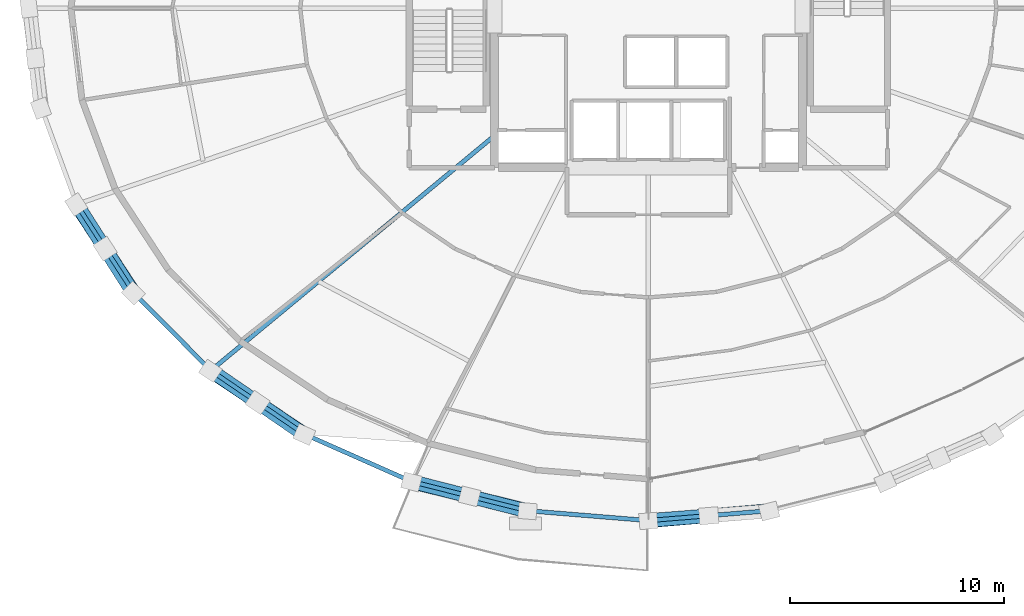
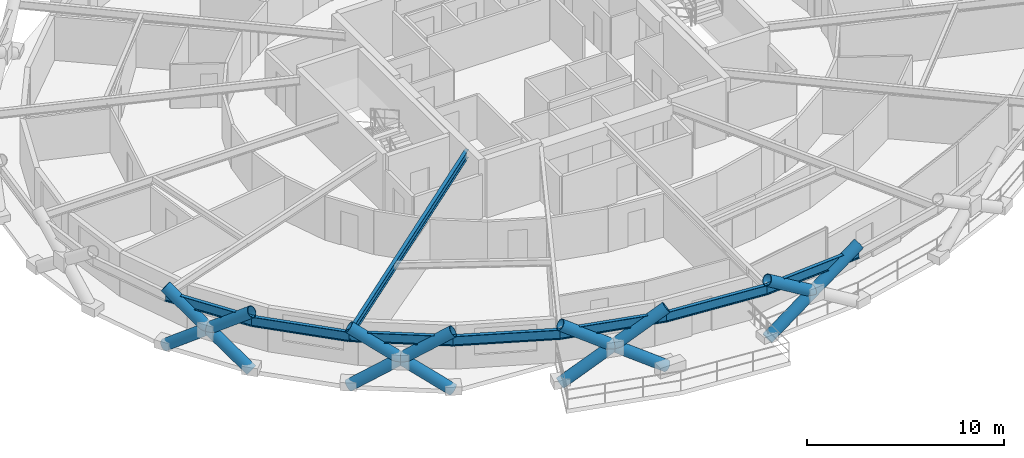
# One storey, part 1 of 14: 11 members, 8 beams.
"""IFC4 building model written with IfcOpenShell, lengths in metres."""

from ifc_helpers import new_model, si_unit, direction, frame, origin, origin_2d, place, context, subcontext, project, spatial, hollow_circle, i_section, extrude, material, material_profile, profile_set, type_object, element, save


model = new_model("IFC4")

# Units and contexts
model_context = context("Model", 3, precision=1e-05, world=origin(), true_north=direction((0.0, 1.0)))
body_context = subcontext(model_context, "Body", "Model", "MODEL_VIEW")
ifc_project = project(units=[si_unit("LENGTHUNIT", "METRE"), si_unit("AREAUNIT", "SQUARE_METRE"), si_unit("VOLUMEUNIT", "CUBIC_METRE"), si_unit("PLANEANGLEUNIT", "RADIAN"), si_unit("MASSUNIT", "GRAM", prefix="KILO")], contexts=[model_context])

# Site, building, storey
site_placement = place(None, origin())
site = spatial("IfcSite", under=ifc_project, at=site_placement, CompositionType="ELEMENT")
building_placement = place(site_placement, origin())
building = spatial("IfcBuilding", under=site, at=building_placement, Name="Veldorina Hangang Commons", CompositionType="ELEMENT")
storey_placement = place(building_placement, frame((0.0, 0.0, 88.0)))
storey = spatial("IfcBuildingStorey", under=building, at=storey_placement, Name="L22", CompositionType="ELEMENT", Elevation=88.0)

# Beams
ifc_material_1 = material(Name="Steel SM420-TMC", Category="steel")
ifc_material_profile_1 = material_profile(ifc_material_1, i_section(OverallWidth=0.199951171875, OverallDepth=0.5, WebThickness=0.010009765625, FlangeThickness=0.01611328125, FilletRadius=0.01611328125, at=origin_2d()), Name="H-500x200x10x16")
ifc_profile_set_1 = profile_set([ifc_material_profile_1], Name="Steel SM420-TMC")
beam_type_1 = type_object("IfcBeamType", Name="BM-FG500", PredefinedType="BEAM", material=ifc_profile_set_1)
beam_1_placement = place(storey_placement, frame((24.800048828125, 18.0390625, 3.090087890625), z_axis=(-0.770268862068, -0.637719280035, 0.0), x_axis=(0.637719280035, -0.770268862068, 0.0)))
element("IfcBeam", 1, at=beam_1_placement, inside=storey, type_object=beam_type_1, Name="L22 radial floor girder 11", PredefinedType="BEAM", context=body_context, shape_type="SweptSolid", body=[
    extrude(i_section(OverallWidth=0.199951171875, OverallDepth=0.5, WebThickness=0.010009765625, FlangeThickness=0.01611328125, FilletRadius=0.01611328125, at=origin_2d()), origin(), (0.0, 0.0, 1.0), 17.206787109375),
])
ifc_material_profile_2 = material_profile(ifc_material_1, i_section(OverallWidth=0.199951171875, OverallDepth=0.60009765625, WebThickness=0.010986328125, FlangeThickness=0.01708984375, FilletRadius=0.01806640625, at=origin_2d()), Name="H-600x200x11x17")
ifc_profile_set_2 = profile_set([ifc_material_profile_2], Name="Steel SM420-TMC")
beam_type_2 = type_object("IfcBeamType", Name="BM-RB600", PredefinedType="BEAM", material=ifc_profile_set_2)
beam_2_placement = place(storey_placement, frame((5.275634765625, 14.835205078125, 3.0400390625), z_axis=(0.542419093308, -0.840108044965, 0.0), x_axis=(0.840108044965, 0.542419093308, 0.0)))
element("IfcBeam", 2, at=beam_2_placement, inside=storey, type_object=beam_type_2, Name="L22 perimeter hoop ring beam 18", PredefinedType="BEAM", context=body_context, shape_type="SweptSolid", body=[
    extrude(i_section(OverallWidth=0.199951171875, OverallDepth=0.60009765625, WebThickness=0.010986328125, FlangeThickness=0.01708984375, FilletRadius=0.01806640625, at=origin_2d()), origin(), (0.0, 0.0, 1.0), 4.927978515625),
])
beam_3_placement = place(storey_placement, frame((7.94873046875, 10.695068359375, 3.0400390625), z_axis=(0.703994455106, -0.710205468283, 0.0), x_axis=(0.710205468283, 0.703994455106, 0.0)))
element("IfcBeam", 3, at=beam_3_placement, inside=storey, type_object=beam_type_2, Name="L22 perimeter hoop ring beam 19", PredefinedType="BEAM", context=body_context, shape_type="SweptSolid", body=[
    extrude(i_section(OverallWidth=0.199951171875, OverallDepth=0.60009765625, WebThickness=0.010986328125, FlangeThickness=0.01708984375, FilletRadius=0.01806640625, at=origin_2d()), origin(), (0.0, 0.0, 1.0), 5.110107421875),
])
beam_4_placement = place(storey_placement, frame((11.546142578125, 7.06591796875, 3.0400390625), z_axis=(0.827134666124, -0.562003775874, 0.0), x_axis=(0.562003775874, 0.827134666124, 0.0)))
element("IfcBeam", 4, at=beam_4_placement, inside=storey, type_object=beam_type_2, Name="L22 perimeter hoop ring beam 20", PredefinedType="BEAM", context=body_context, shape_type="SweptSolid", body=[
    extrude(i_section(OverallWidth=0.199951171875, OverallDepth=0.60009765625, WebThickness=0.010986328125, FlangeThickness=0.01708984375, FilletRadius=0.01806640625, at=origin_2d()), origin(), (0.0, 0.0, 1.0), 5.29931640625),
])
beam_5_placement = place(storey_placement, frame((15.929443359375, 4.087646484375, 3.0400390625), z_axis=(0.914473077645, -0.404646747499, 0.0), x_axis=(0.404646747499, 0.914473077645, 0.0)))
element("IfcBeam", 5, at=beam_5_placement, inside=storey, type_object=beam_type_2, Name="L22 perimeter hoop ring beam 21", PredefinedType="BEAM", context=body_context, shape_type="SweptSolid", body=[
    extrude(i_section(OverallWidth=0.199951171875, OverallDepth=0.60009765625, WebThickness=0.010986328125, FlangeThickness=0.01708984375, FilletRadius=0.01806640625, at=origin_2d()), origin(), (0.0, 0.0, 1.0), 5.46875),
])
beam_6_placement = place(storey_placement, frame((20.930419921875, 1.874755859375, 3.0400390625), z_axis=(0.969880111736, -0.243582776195, 0.0), x_axis=(0.243582776195, 0.969880111736, 0.0)))
element("IfcBeam", 6, at=beam_6_placement, inside=storey, type_object=beam_type_2, Name="L22 perimeter hoop ring beam 22", PredefinedType="BEAM", context=body_context, shape_type="SweptSolid", body=[
    extrude(i_section(OverallWidth=0.199951171875, OverallDepth=0.60009765625, WebThickness=0.010986328125, FlangeThickness=0.01708984375, FilletRadius=0.01806640625, at=origin_2d()), origin(), (0.0, 0.0, 1.0), 5.5947265625),
])
for number, where, z_axis, x_axis, name in (
    (7, (26.356689453125, 0.511962890625, 3.0400390625), (0.99669139149, -0.081278964869, 0.0), (0.081278964869, 0.99669139149, 0.0), "L22 perimeter hoop ring beam 23"),
    (8, (32.0, 0.0517578125, 3.0400390625), (0.99669139149, 0.081278964869, 0.0), (-0.081278964869, 0.99669139149, 0.0), "L22 perimeter hoop ring beam 24"),
):
    element("IfcBeam", number, at=place(storey_placement, frame(where, z_axis=z_axis, x_axis=x_axis)), inside=storey, type_object=beam_type_2, Name=name, PredefinedType="BEAM", context=body_context, shape_type="SweptSolid", body=[
        extrude(i_section(OverallWidth=0.199951171875, OverallDepth=0.60009765625, WebThickness=0.010986328125, FlangeThickness=0.01708984375, FilletRadius=0.01806640625, at=origin_2d()), origin(), (0.0, 0.0, 1.0), 5.662109375),
    ])

# Members
ifc_material_2 = material(Name="Steel SM460-TMC", Category="steel")
ifc_material_profile_3 = material_profile(ifc_material_2, hollow_circle(Radius=0.324951171875, WallThickness=0.031982421875, at=origin_2d()), Name="CHS-650x32")
ifc_profile_set_3 = profile_set([ifc_material_profile_3], Name="Steel SM460-TMC")
member_type = type_object("IfcMemberType", Name="DG-CHS650", PredefinedType="BRACE", material=ifc_profile_set_3)
member_1_placement = place(storey_placement, frame((5.252197265625, 14.82861328125, 0.0), z_axis=(0.442023574438, -0.676282881314, 0.589284841213), x_axis=(0.837061095875, 0.547109423948, 0.0)))
element("IfcMember", 9, at=member_1_placement, inside=storey, type_object=member_type, Name="L22 continuous perimeter diagrid brace 18", PredefinedType="BRACE", context=body_context, shape_type="SweptSolid", body=[
    extrude(hollow_circle(Radius=0.324951171875, WallThickness=0.031982421875, at=origin_2d()), origin(), (0.0, 0.0, 1.0), 6.109375),
])
member_2_placement = place(storey_placement, frame((7.927490234375, 10.68505859375, 0.0), z_axis=(-0.434086079817, 0.680614966807, 0.590197036817), x_axis=(-0.84311822647, -0.537728236374, 0.0)))
element("IfcMember", 10, at=member_2_placement, inside=storey, type_object=member_type, Name="L22 split perimeter diagrid lower brace 19", PredefinedType="BRACE", context=body_context, shape_type="SweptSolid", body=[
    extrude(hollow_circle(Radius=0.324951171875, WallThickness=0.031982421875, at=origin_2d()), origin(), (0.0, 0.0, 1.0), 3.05126953125),
])
member_3_placement = place(storey_placement, frame((6.60302734375, 12.76171875, 1.80078125), z_axis=(-0.433984839088, 0.680649039935, 0.590232194884), x_axis=(-0.843187284607, -0.537619942968, 0.0)))
element("IfcMember", 11, at=member_3_placement, inside=storey, type_object=member_type, Name="L22 split perimeter diagrid upper brace 19", PredefinedType="BRACE", context=body_context, shape_type="SweptSolid", body=[
    extrude(hollow_circle(Radius=0.324951171875, WallThickness=0.031982421875, at=origin_2d()), origin(), (0.0, 0.0, 1.0), 3.048583984375),
])
member_4_placement = place(storey_placement, frame((11.528076171875, 7.05322265625, 0.0), z_axis=(0.686679125128, -0.461935317004, 0.561326591227), x_axis=(0.558166328951, 0.829729081825, 0.0)))
element("IfcMember", 12, at=member_4_placement, inside=storey, type_object=member_type, Name="L22 continuous perimeter diagrid brace 20", PredefinedType="BRACE", context=body_context, shape_type="SweptSolid", body=[
    extrude(hollow_circle(Radius=0.324951171875, WallThickness=0.031982421875, at=origin_2d()), origin(), (0.0, 0.0, 1.0), 6.41357421875),
])
member_5_placement = place(storey_placement, frame((15.915283203125, 4.07275390625, 0.0), z_axis=(-0.681905441312, 0.467866711242, 0.562232789528), x_axis=(-0.565754031304, -0.824574057355, 0.0)))
element("IfcMember", 13, at=member_5_placement, inside=storey, type_object=member_type, Name="L22 split perimeter diagrid lower brace 21", PredefinedType="BRACE", context=body_context, shape_type="SweptSolid", body=[
    extrude(hollow_circle(Radius=0.324951171875, WallThickness=0.031982421875, at=origin_2d()), origin(), (0.0, 0.0, 1.0), 3.202880859375),
])
member_6_placement = place(storey_placement, frame((13.731201171875, 5.5712890625, 1.80078125), z_axis=(-0.681859625784, 0.467848632126, 0.562303395102), x_axis=(-0.565765012614, -0.824566522787, 0.0)))
element("IfcMember", 14, at=member_6_placement, inside=storey, type_object=member_type, Name="L22 split perimeter diagrid upper brace 21", PredefinedType="BRACE", context=body_context, shape_type="SweptSolid", body=[
    extrude(hollow_circle(Radius=0.324951171875, WallThickness=0.031982421875, at=origin_2d()), origin(), (0.0, 0.0, 1.0), 3.199951171875),
])
member_7_placement = place(storey_placement, frame((20.920654296875, 1.858154296875, 0.0), z_axis=(0.816645302248, -0.201722757417, 0.540738734933), x_axis=(0.239806243825, 0.970820768949, 0.0)))
element("IfcMember", 15, at=member_7_placement, inside=storey, type_object=member_type, Name="L22 continuous perimeter diagrid brace 22", PredefinedType="BRACE", context=body_context, shape_type="SweptSolid", body=[
    extrude(hollow_circle(Radius=0.324951171875, WallThickness=0.031982421875, at=origin_2d()), origin(), (0.0, 0.0, 1.0), 6.65771484375),
])
member_8_placement = place(storey_placement, frame((26.351806640625, 0.494384765625, 0.0), z_axis=(-0.814788423455, 0.207934299151, 0.541186799766), x_axis=(-0.24727518787, -0.968945293329, 0.0)))
element("IfcMember", 16, at=member_8_placement, inside=storey, type_object=member_type, Name="L22 split perimeter diagrid lower brace 23", PredefinedType="BRACE", context=body_context, shape_type="SweptSolid", body=[
    extrude(hollow_circle(Radius=0.324951171875, WallThickness=0.031982421875, at=origin_2d()), origin(), (0.0, 0.0, 1.0), 3.327392578125),
])
member_9_placement = place(storey_placement, frame((23.640625, 1.186279296875, 1.80078125), z_axis=(-0.81473607557, 0.207980220481, 0.541247960785), x_axis=(-0.247341376217, -0.968928399631, 0.0)))
element("IfcMember", 17, at=member_9_placement, inside=storey, type_object=member_type, Name="L22 split perimeter diagrid upper brace 23", PredefinedType="BRACE", context=body_context, shape_type="SweptSolid", body=[
    extrude(hollow_circle(Radius=0.324951171875, WallThickness=0.031982421875, at=origin_2d()), origin(), (0.0, 0.0, 1.0), 3.324462890625),
])
member_10_placement = place(storey_placement, frame((32.0, 0.03369140625, 0.0), z_axis=(0.840843959954, 0.071746972828, 0.536501450975), x_axis=(-0.085018395606, 0.996379381766, 0.0)))
element("IfcMember", 18, at=member_10_placement, inside=storey, type_object=member_type, Name="L22 continuous perimeter diagrid brace 24", PredefinedType="BRACE", context=body_context, shape_type="SweptSolid", body=[
    extrude(hollow_circle(Radius=0.324951171875, WallThickness=0.031982421875, at=origin_2d()), origin(), (0.0, 0.0, 1.0), 6.710205078125),
])
member_11_placement = place(storey_placement, frame((34.822509765625, 0.274658203125, 1.80078125), z_axis=(-0.841420803143, -0.065502873699, 0.53639575462), x_axis=(0.077613112844, -0.996983552881, 0.0)))
element("IfcMember", 19, at=member_11_placement, inside=storey, type_object=member_type, Name="L22 split perimeter diagrid upper brace 25", PredefinedType="BRACE", context=body_context, shape_type="SweptSolid", body=[
    extrude(hollow_circle(Radius=0.324951171875, WallThickness=0.031982421875, at=origin_2d()), origin(), (0.0, 0.0, 1.0), 3.3544921875),
])

save(model, "model.ifc")
